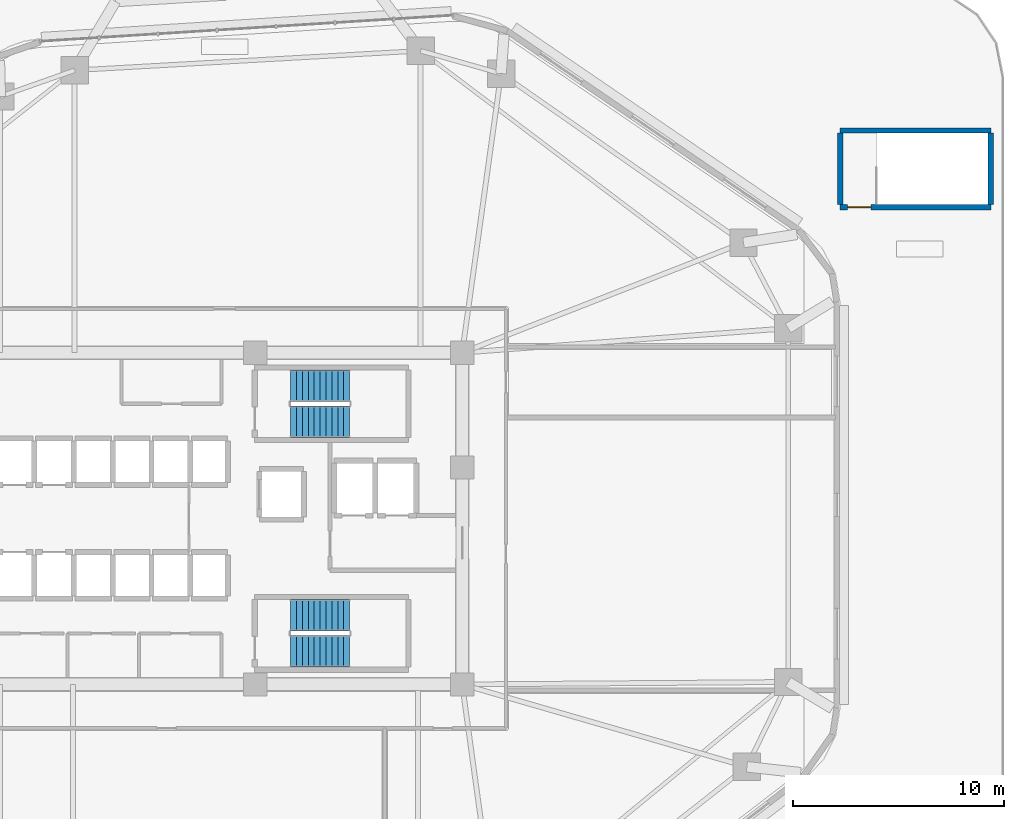
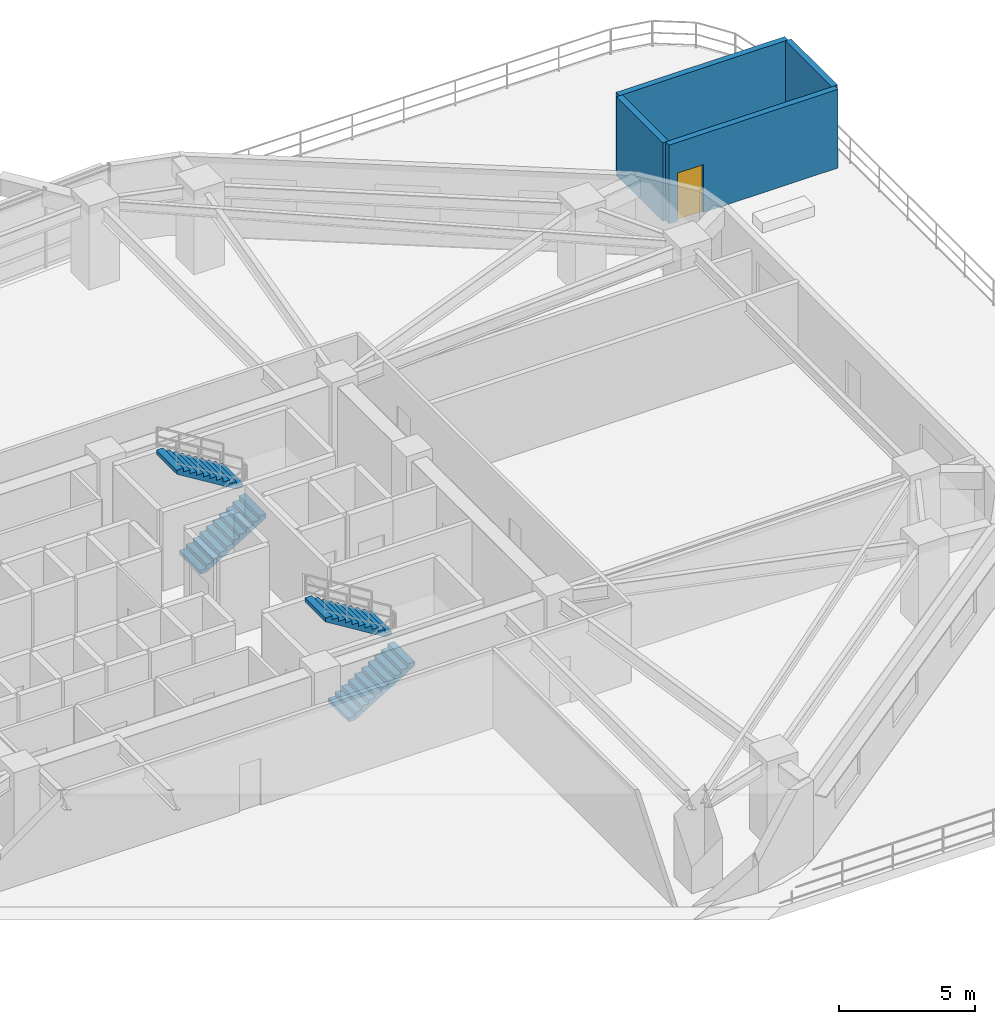
# One storey, part 17 of 20: 4 stair flights, 4 walls, 1 door, 1 opening, 2 elements without a shape of their own.
"""IFC4 building model written with IfcOpenShell, lengths in metres."""

from ifc_helpers import new_model, si_unit, direction, frame, frame_2d, origin, place, context, subcontext, project, spatial, polyline, rectangle, outline, extrude, material, layer, layer_set, type_object, element, fill, aggregate, save


model = new_model("IFC4")

# Units and contexts
model_context = context("Model", 3, precision=1e-05, world=origin(), true_north=direction((0.0, 1.0)))
body_context = subcontext(model_context, "Body", "Model", "MODEL_VIEW")
ifc_project = project(units=[si_unit("LENGTHUNIT", "METRE"), si_unit("AREAUNIT", "SQUARE_METRE"), si_unit("VOLUMEUNIT", "CUBIC_METRE"), si_unit("PLANEANGLEUNIT", "RADIAN"), si_unit("MASSUNIT", "GRAM", prefix="KILO")], contexts=[model_context])

# Site, building, storey
site_placement = place(None, origin())
site = spatial("IfcSite", under=ifc_project, at=site_placement, CompositionType="ELEMENT")
building_placement = place(site_placement, origin())
building = spatial("IfcBuilding", under=site, at=building_placement, Name="Zulverin Broadcast Headquarters", CompositionType="ELEMENT")
storey_placement = place(building_placement, frame((0.0, 0.0, 25.0)))
storey = spatial("IfcBuildingStorey", under=building, at=storey_placement, Name="L05", CompositionType="ELEMENT", Elevation=25.0)

# Wall, opening, door
ifc_material_1 = material(Name="Concrete C50/60", Category="concrete")
ifc_layer = layer(ifc_material_1, 0.25, Name="Concrete C50/60", Category="concrete")
ifc_layer_set = layer_set([ifc_layer], Name="Concrete C50/60")
wall_type = type_object("IfcWallType", Name="WL-SHAFT-250", PredefinedType="SHEAR", material=ifc_layer_set)
wall_1_placement = place(storey_placement, frame((66.22509765625, 39.97509765625, 0.0), z_axis=(0.0, 0.0, 1.0), x_axis=(1.0, 0.0, 0.0)))
wall_1 = element("IfcWall", 1, at=wall_1_placement, inside=storey, type_object=wall_type, Name="L05 ST-4 Enclosure Wall S", PredefinedType="SHEAR", context=body_context, shape_type="SweptSolid", body=[
    extrude(rectangle(XDim=7.14990234375, YDim=0.25, at=frame_2d((3.574951171875, 0.0))), origin(), (0.0, 0.0, 1.0), 3.52490234375),
])
opening_placement = place(wall_1_placement, frame((0.35009765625, 0.0, 0.0)))
opening = element("IfcOpeningElement", 2, at=opening_placement, cuts=wall_1, Name="Opening D-L05-ST-4", PredefinedType="OPENING", context=body_context, shape_type="SweptSolid", body=[
    extrude(rectangle(XDim=1.10009765625, YDim=2.14990234375, at=frame_2d((0.550048828125, 1.074951171875))), frame((0.0, 0.135009765625, 0.0), z_axis=(0.0, -1.0, 0.0), x_axis=(1.0, 0.0, 0.0)), (0.0, 0.0, 1.0), 0.27001953125),
])
ifc_material_2 = material(Name="Fire-rated steel leaf and frame", Category="steel")
door_type = type_object("IfcDoorType", Name="DR-STAIR-1100", OperationType="SINGLE_SWING_LEFT", PredefinedType="DOOR", material=ifc_material_2)
door_placement = place(opening_placement, origin())
door = element("IfcDoor", 3, at=door_placement, inside=storey, type_object=door_type, Name="L05 Exit Stair ST-4 Fire Door", OperationType="SINGLE_SWING_RIGHT", OverallHeight=2.14990234375, OverallWidth=1.10009765625, PredefinedType="DOOR", context=body_context, shape_type="SweptSolid", body=[
    extrude(rectangle(XDim=1.10009765625, YDim=2.14990234375, at=frame_2d((0.550048828125, 1.074951171875))), frame((0.0, 0.02490234375, 0.0), z_axis=(0.0, -1.0, 0.0), x_axis=(1.0, 0.0, 0.0)), (0.0, 0.0, 1.0), 0.050048828125),
])
fill(opening, door)

# Walls
wall_2_placement = place(storey_placement, frame((66.22509765625, 43.625, 0.0), z_axis=(0.0, 0.0, 1.0), x_axis=(1.0, 0.0, 0.0)))
element("IfcWall", 4, at=wall_2_placement, inside=storey, type_object=wall_type, Name="L05 ST-4 Enclosure Wall N", PredefinedType="SHEAR", context=body_context, shape_type="SweptSolid", body=[
    extrude(rectangle(XDim=7.14990234375, YDim=0.25, at=frame_2d((3.574951171875, 0.0))), origin(), (0.0, 0.0, 1.0), 3.52490234375),
])
for number, where, z_axis, x_axis, name in (
    (5, (66.22509765625, 40.10009765625, 0.0), (0.0, 0.0, 1.0), (0.0, 1.0, 0.0), "L05 ST-4 Enclosure Wall W"),
    (6, (73.375, 40.10009765625, 0.0), (0.0, 0.0, 1.0), (0.0, 1.0, 0.0), "L05 ST-4 Enclosure Wall E"),
):
    element("IfcWall", number, at=place(storey_placement, frame(where, z_axis=z_axis, x_axis=x_axis)), inside=storey, type_object=wall_type, Name=name, PredefinedType="SHEAR", context=body_context, shape_type="SweptSolid", body=[
        extrude(rectangle(XDim=3.39990234375, YDim=0.25, at=frame_2d((1.699951171875, 0.0))), origin(), (0.0, 0.0, 1.0), 3.52490234375),
    ])

# Stair, stair flights
ifc_material_3 = material(Name="Concrete C40/50", Category="concrete")
stair_type = type_object("IfcStairType", Name="ST-CORE-1500", PredefinedType="HALF_TURN_STAIR", material=ifc_material_3)
stair_1_placement = place(storey_placement, origin())
stair_1 = element("IfcStair", 7, at=stair_1_placement, inside=storey, type_object=stair_type, Name="L05 Core Exit Stair ST-1", PredefinedType="HALF_TURN_STAIR")
stair_flight_type = type_object("IfcStairFlightType", Name="SF-CORE-1500", PredefinedType="STRAIGHT", material=ifc_material_3)
stair_flight_1_placement = place(storey_placement, frame((40.1298828125, 29.800048828125, 0.0), z_axis=(0.0, 0.0, 1.0), x_axis=(1.0, 0.0, 0.0)))
stair_flight_1 = element("IfcStairFlight", 8, at=stair_flight_1_placement, type_object=stair_flight_type, Name="ST-1 flight 1", NumberOfRisers=11, NumberOfTreads=10, PredefinedType="STRAIGHT", RiserHeight=0.172727273, TreadLength=0.28, context=body_context, shape_type="SweptSolid", body=[
    extrude(outline(polyline([(0.0, 0.0), (0.0, 0.172607421875), (0.280029296875, 0.172607421875), (0.280029296875, 0.345458984375), (0.56005859375, 0.345458984375), (0.56005859375, 0.51806640625), (0.840087890625, 0.51806640625), (0.840087890625, 0.69091796875), (1.1201171875, 0.69091796875), (1.1201171875, 0.863525390625), (1.39990234375, 0.863525390625), (1.39990234375, 1.036376953125), (1.679931640625, 1.036376953125), (1.679931640625, 1.208984375), (1.9599609375, 1.208984375), (1.9599609375, 1.3818359375), (2.239990234375, 1.3818359375), (2.239990234375, 1.554443359375), (2.52001953125, 1.554443359375), (2.52001953125, 1.727294921875), (2.800048828125, 1.727294921875), (2.800048828125, 1.89990234375), (2.800048828125, 1.551025390625), (0.285400390625, 0.0), (0.0, 0.0)])), frame((0.0, 0.75, 0.0), z_axis=(0.0, -1.0, 0.0), x_axis=(1.0, 0.0, 0.0)), (0.0, 0.0, 1.0), 1.5),
])
stair_flight_2_placement = place(storey_placement, frame((42.929931640625, 31.5, 1.89990234375), z_axis=(0.0, 0.0, 1.0), x_axis=(-1.0, 0.0, 0.0)))
stair_flight_2 = element("IfcStairFlight", 9, at=stair_flight_2_placement, type_object=stair_flight_type, Name="ST-1 flight 2", NumberOfRisers=11, NumberOfTreads=10, PredefinedType="STRAIGHT", RiserHeight=0.172727273, TreadLength=0.28, context=body_context, shape_type="SweptSolid", body=[
    extrude(outline(polyline([(0.0, 0.0), (0.0, 0.172607421875), (0.280029296875, 0.172607421875), (0.280029296875, 0.345458984375), (0.56005859375, 0.345458984375), (0.56005859375, 0.51806640625), (0.840087890625, 0.51806640625), (0.840087890625, 0.69091796875), (1.1201171875, 0.69091796875), (1.1201171875, 0.863525390625), (1.39990234375, 0.863525390625), (1.39990234375, 1.036376953125), (1.679931640625, 1.036376953125), (1.679931640625, 1.208984375), (1.9599609375, 1.208984375), (1.9599609375, 1.3818359375), (2.239990234375, 1.3818359375), (2.239990234375, 1.554443359375), (2.52001953125, 1.554443359375), (2.52001953125, 1.727294921875), (2.800048828125, 1.727294921875), (2.800048828125, 1.89990234375), (2.800048828125, 1.551025390625), (0.285400390625, 0.0), (0.0, 0.0)])), frame((0.0, 0.75, 0.0), z_axis=(0.0, -1.0, 0.0), x_axis=(1.0, 0.0, 0.0)), (0.0, 0.0, 1.0), 1.5),
])
aggregate(stair_1, [stair_flight_1, stair_flight_2])

stair_2_placement = place(storey_placement, origin())
stair_2 = element("IfcStair", 10, at=stair_2_placement, inside=storey, type_object=stair_type, Name="L05 Core Exit Stair ST-2", PredefinedType="HALF_TURN_STAIR")
stair_flight_3_placement = place(storey_placement, frame((40.1298828125, 18.89990234375, 0.0), z_axis=(0.0, 0.0, 1.0), x_axis=(1.0, 0.0, 0.0)))
stair_flight_3 = element("IfcStairFlight", 11, at=stair_flight_3_placement, type_object=stair_flight_type, Name="ST-2 flight 1", NumberOfRisers=11, NumberOfTreads=10, PredefinedType="STRAIGHT", RiserHeight=0.172727273, TreadLength=0.28, context=body_context, shape_type="SweptSolid", body=[
    extrude(outline(polyline([(0.0, 0.0), (0.0, 0.172607421875), (0.280029296875, 0.172607421875), (0.280029296875, 0.345458984375), (0.56005859375, 0.345458984375), (0.56005859375, 0.51806640625), (0.840087890625, 0.51806640625), (0.840087890625, 0.69091796875), (1.1201171875, 0.69091796875), (1.1201171875, 0.863525390625), (1.39990234375, 0.863525390625), (1.39990234375, 1.036376953125), (1.679931640625, 1.036376953125), (1.679931640625, 1.208984375), (1.9599609375, 1.208984375), (1.9599609375, 1.3818359375), (2.239990234375, 1.3818359375), (2.239990234375, 1.554443359375), (2.52001953125, 1.554443359375), (2.52001953125, 1.727294921875), (2.800048828125, 1.727294921875), (2.800048828125, 1.89990234375), (2.800048828125, 1.551025390625), (0.285400390625, 0.0), (0.0, 0.0)])), frame((0.0, 0.75, 0.0), z_axis=(0.0, -1.0, 0.0), x_axis=(1.0, 0.0, 0.0)), (0.0, 0.0, 1.0), 1.5),
])
stair_flight_4_placement = place(storey_placement, frame((42.929931640625, 20.60009765625, 1.89990234375), z_axis=(0.0, 0.0, 1.0), x_axis=(-1.0, 0.0, 0.0)))
stair_flight_4 = element("IfcStairFlight", 12, at=stair_flight_4_placement, type_object=stair_flight_type, Name="ST-2 flight 2", NumberOfRisers=11, NumberOfTreads=10, PredefinedType="STRAIGHT", RiserHeight=0.172727273, TreadLength=0.28, context=body_context, shape_type="SweptSolid", body=[
    extrude(outline(polyline([(0.0, 0.0), (0.0, 0.172607421875), (0.280029296875, 0.172607421875), (0.280029296875, 0.345458984375), (0.56005859375, 0.345458984375), (0.56005859375, 0.51806640625), (0.840087890625, 0.51806640625), (0.840087890625, 0.69091796875), (1.1201171875, 0.69091796875), (1.1201171875, 0.863525390625), (1.39990234375, 0.863525390625), (1.39990234375, 1.036376953125), (1.679931640625, 1.036376953125), (1.679931640625, 1.208984375), (1.9599609375, 1.208984375), (1.9599609375, 1.3818359375), (2.239990234375, 1.3818359375), (2.239990234375, 1.554443359375), (2.52001953125, 1.554443359375), (2.52001953125, 1.727294921875), (2.800048828125, 1.727294921875), (2.800048828125, 1.89990234375), (2.800048828125, 1.551025390625), (0.285400390625, 0.0), (0.0, 0.0)])), frame((0.0, 0.75, 0.0), z_axis=(0.0, -1.0, 0.0), x_axis=(1.0, 0.0, 0.0)), (0.0, 0.0, 1.0), 1.5),
])
aggregate(stair_2, [stair_flight_3, stair_flight_4])

save(model, "model.ifc")
